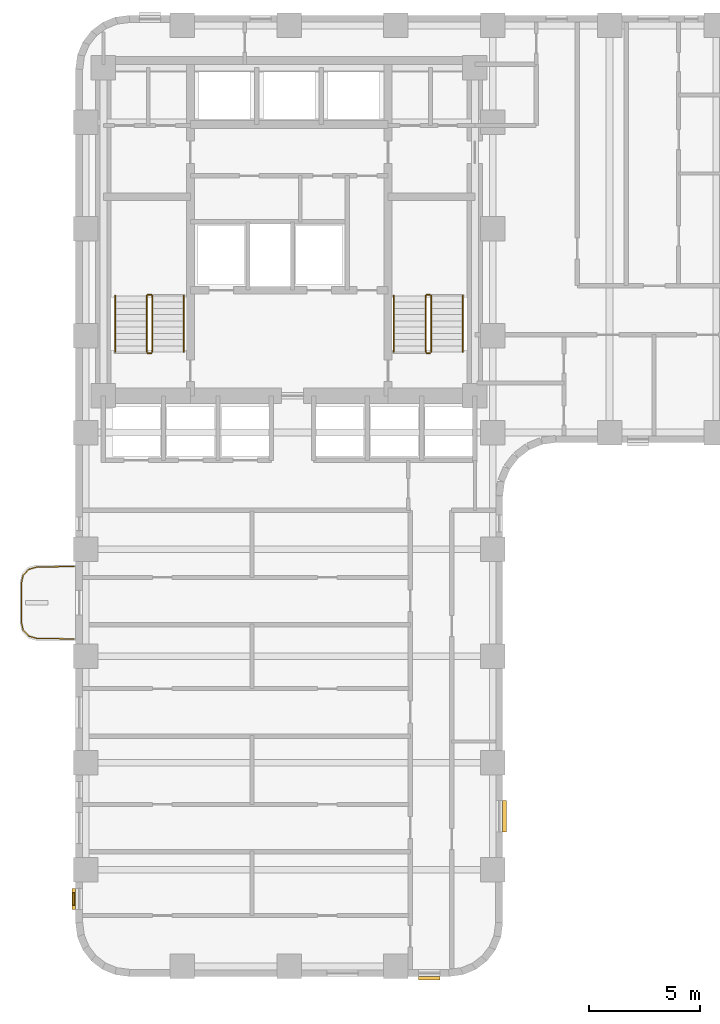
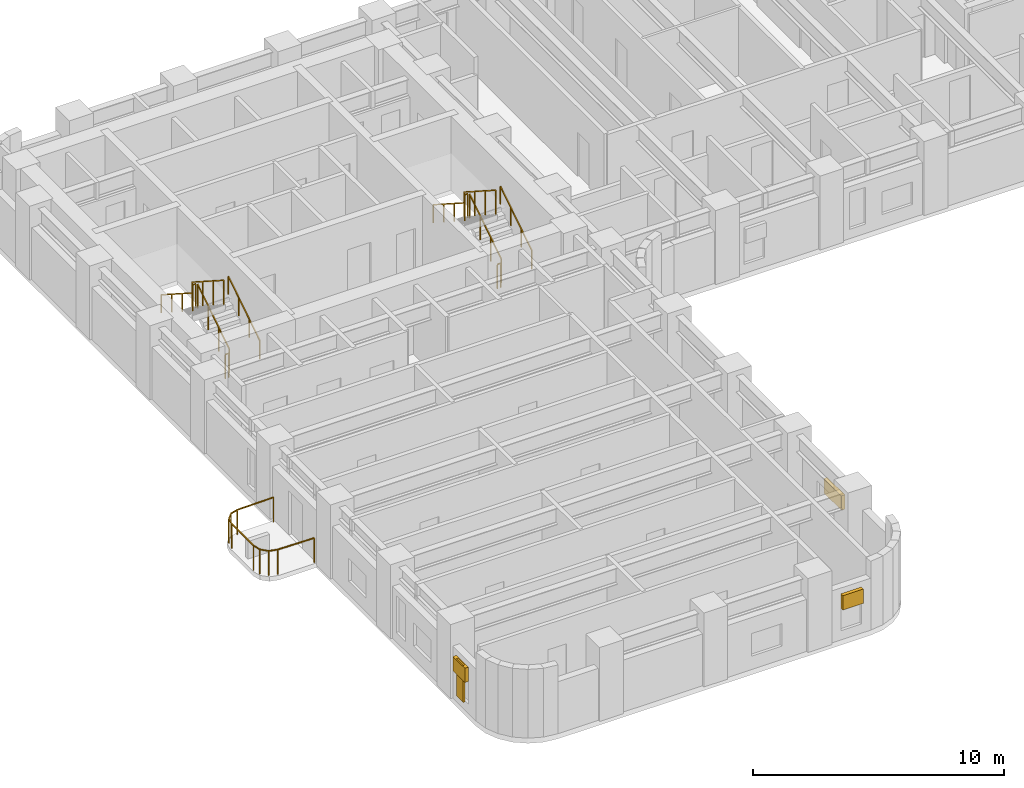
# One storey, part 9 of 11: 13 railings, 4 shading devices.
"""IFC4 building model written with IfcOpenShell, lengths in metres."""

import ifcopenshell
import ifcopenshell.guid

model = None  # the IFC model being written
_history = None  # IfcOwnerHistory: only IFC2X3 demands one
_inside = {}  # id of a spatial element -> (the spatial element, [elements in it])
_under = {}  # id of a project, library or spatial element -> (it, [spatial elements below it])
_declared = {}  # id of a project -> (the project, [libraries it declares])
_typed = {}  # id of a type object -> (the type object, [elements of that type])
_made_of = {}  # id of a material, layer set ... -> (it, [elements and type objects made of it])


def new_model(schema):
    """Start an empty IFC model of exactly this schema.

    Asked for "IFC4X3", IfcOpenShell would pick the latest addendum, in which some entities
    have other attributes; the version numbers below select the first issue.
    IFC2X3 requires an IfcOwnerHistory on every rooted entity: one is made here for all.
    """
    global model, _history
    if schema == "IFC4X3":
        model = ifcopenshell.file(schema_version=(4, 3, 0, 0))
    else:
        model = ifcopenshell.file(schema=schema)
    _inside.clear()
    _under.clear()
    _declared.clear()
    _typed.clear()
    _made_of.clear()
    _history = None
    if model.schema == "IFC2X3":
        org = make("IfcOrganization", Name="unknown")
        user = make(
            "IfcPersonAndOrganization",
            ThePerson=make("IfcPerson", FamilyName="unknown"),
            TheOrganization=org,
        )
        app = make(
            "IfcApplication",
            ApplicationDeveloper=org,
            Version="unknown",
            ApplicationFullName="unknown",
            ApplicationIdentifier="unknown",
        )
        _history = make(
            "IfcOwnerHistory",
            OwningUser=user,
            OwningApplication=app,
            ChangeAction="ADDED",
            CreationDate=0,
        )
    return model


def make(cls, **values):
    """One entity of the class cls with the attributes given. An attribute that is None is left unset."""
    return model.create_entity(
        cls, **{name: value for name, value in values.items() if value is not None}
    )


def rooted(cls, **values):
    """An entity with a GlobalId (a new one), such as an element, a storey or a relation."""
    return make(cls, GlobalId=ifcopenshell.guid.new(), OwnerHistory=_history, **values)


def si_unit(unit_type, name, prefix=None):
    """IfcSIUnit, for example si_unit("LENGTHUNIT", "METRE", prefix="MILLI")."""
    return make("IfcSIUnit", UnitType=unit_type, Prefix=prefix, Name=name)


def assignment(units):
    """IfcUnitAssignment: the units of a project."""
    return None if units is None else make("IfcUnitAssignment", Units=units)


def point(xyz):
    """IfcCartesianPoint."""
    return None if xyz is None else make("IfcCartesianPoint", Coordinates=xyz)


def direction(xyz):
    """IfcDirection."""
    return None if xyz is None else make("IfcDirection", DirectionRatios=xyz)


def frame(location, z_axis=None, x_axis=None):
    """IfcAxis2Placement3D, a coordinate frame: its origin and axes. An axis left out is left unset."""
    return make(
        "IfcAxis2Placement3D",
        Location=point(location),
        Axis=direction(z_axis),
        RefDirection=direction(x_axis),
    )


def frame_2d(location, x_axis=None):
    """IfcAxis2Placement2D, a coordinate frame in the plane: its origin and x axis."""
    return make(
        "IfcAxis2Placement2D", Location=point(location), RefDirection=direction(x_axis)
    )


def origin():
    """The frame at (0, 0, 0) with its axes left unset."""
    return frame((0.0, 0.0, 0.0))


def origin_2d():
    """The frame at (0, 0) in the plane with its x axis left unset."""
    return frame_2d((0.0, 0.0))


def place(relative_to, where):
    """IfcLocalPlacement: puts the frame where relative to a parent placement (None: the world)."""
    return make(
        "IfcLocalPlacement", PlacementRelTo=relative_to, RelativePlacement=where
    )


def context(
    kind, dimensions, precision=None, world=None, true_north=None, identifier=None
):
    """IfcGeometricRepresentationContext, for example the 3D "Model" context."""
    return make(
        "IfcGeometricRepresentationContext",
        ContextIdentifier=identifier,
        ContextType=kind,
        CoordinateSpaceDimension=dimensions,
        Precision=precision,
        WorldCoordinateSystem=world,
        TrueNorth=true_north,
    )


def subcontext(parent, identifier, kind, view, scale=None):
    """IfcGeometricRepresentationSubContext, for example "Body" below "Model"."""
    return make(
        "IfcGeometricRepresentationSubContext",
        ContextIdentifier=identifier,
        ContextType=kind,
        ParentContext=parent,
        TargetScale=scale,
        TargetView=view,
    )


def project(units=None, contexts=None):
    """IfcProject with its units and contexts."""
    return rooted(
        "IfcProject",
        Name="project",
        RepresentationContexts=contexts,
        UnitsInContext=assignment(units),
    )


def spatial(cls, under=None, at=None, **own):
    """A site, building, storey or space (cls), placed at a placement, below another one or the project."""
    s = rooted(cls, ObjectPlacement=at, **own)
    if under is not None:
        _under.setdefault(under.id(), (under, []))[1].append(s)
    return s


def profile(cls, at=None, kind="AREA", **sizes):
    """A parametric profile (cls). Its sizes go by their IFC names, for example OverallWidth=200.0."""
    return make(cls, ProfileType=kind, Position=at, **sizes)


def rectangle(**sizes):
    """IfcRectangleProfileDef."""
    return profile("IfcRectangleProfileDef", **sizes)


def extrude(swept, where, along, depth):
    """IfcExtrudedAreaSolid: the profile swept, set in the frame where, extruded along a direction by depth."""
    return make(
        "IfcExtrudedAreaSolid",
        SweptArea=swept,
        Position=where,
        ExtrudedDirection=direction(along),
        Depth=depth,
    )


def shape(context_of_items, identifier, shape_type, items):
    """IfcShapeRepresentation: the items that make up one representation, for example the "Body"."""
    return make(
        "IfcShapeRepresentation",
        ContextOfItems=context_of_items,
        RepresentationIdentifier=identifier,
        RepresentationType=shape_type,
        Items=items,
    )


def material(Name=None, Category=None):
    """IfcMaterial."""
    return make("IfcMaterial", Name=Name, Category=Category)


def made_of(thing, what):
    """Note that an element or type object is made of a material, layer set ...; save() writes the relation."""
    if what is not None:
        _made_of.setdefault(what.id(), (what, []))[1].append(thing)
    return thing


def type_object(cls, material=None, **own):
    """A type object (cls), such as IfcWallType, which elements share."""
    return made_of(rooted(cls, **own), material)


def element(
    cls,
    number,
    at=None,
    inside=None,
    cuts=None,
    type_object=None,
    material=None,
    context=None,
    identifier="Body",
    shape_type=None,
    held_by="IfcProductDefinitionShape",
    body=None,
    shapes=None,
    **own,
):
    """One element of the class cls, such as IfcWall. Its Tag is "e" and its number.

    at: its placement. inside: the storey or other place that contains it. cuts: it is an
    opening in that element (IfcRelVoidsElement). A single representation is given by context,
    identifier, shape_type and body (its items); several are given by shapes. held_by: the class
    of the entity that holds the representations. save() writes the other relations.
    """
    e = rooted(cls, Tag="e%d" % number, ObjectPlacement=at, **own)
    if body is not None:
        shapes = [shape(context, identifier, shape_type, body)]
    if shapes is not None:
        e.Representation = make(held_by, Representations=shapes)
    if inside is not None:
        _inside.setdefault(inside.id(), (inside, []))[1].append(e)
    if cuts is not None:
        rooted(
            "IfcRelVoidsElement", RelatingBuildingElement=cuts, RelatedOpeningElement=e
        )
    if type_object is not None:
        _typed.setdefault(type_object.id(), (type_object, []))[1].append(e)
    return made_of(e, material)


def aggregate(whole, parts):
    """IfcRelAggregates: a whole, such as a stair, and the parts it consists of."""
    return rooted("IfcRelAggregates", RelatingObject=whole, RelatedObjects=parts)


def save(model, path):
    """Write the relations noted so far, then the file.

    IfcRelAggregates (storeys below a building ...), IfcRelContainedInSpatialStructure (elements
    in a storey), IfcRelDefinesByType, IfcRelAssociatesMaterial and IfcRelDeclares: one each for
    every whole, place, type object, material and project.
    """
    for whole, parts in _under.values():
        aggregate(whole, parts)
    for where, things in _inside.values():
        rooted(
            "IfcRelContainedInSpatialStructure",
            RelatedElements=things,
            RelatingStructure=where,
        )
    for kind, things in _typed.values():
        rooted("IfcRelDefinesByType", RelatedObjects=things, RelatingType=kind)
    for what, things in _made_of.values():
        rooted("IfcRelAssociatesMaterial", RelatedObjects=things, RelatingMaterial=what)
    for by, libraries in _declared.values():
        rooted("IfcRelDeclares", RelatingContext=by, RelatedDefinitions=libraries)
    model.write(path)


model = new_model("IFC4")

# Units and contexts
model_context = context("Model", 3, precision=1e-05, world=origin(), true_north=direction((0.0, 1.0)))
body_context = subcontext(model_context, "Body", "Model", "MODEL_VIEW")
ifc_project = project(units=[si_unit("LENGTHUNIT", "METRE"), si_unit("AREAUNIT", "SQUARE_METRE"), si_unit("VOLUMEUNIT", "CUBIC_METRE"), si_unit("PLANEANGLEUNIT", "RADIAN"), si_unit("MASSUNIT", "GRAM", prefix="KILO")], contexts=[model_context])

# Site, building, storey
site_placement = place(None, origin())
site = spatial("IfcSite", under=ifc_project, at=site_placement, CompositionType="ELEMENT")
building_placement = place(site_placement, origin())
building = spatial("IfcBuilding", under=site, at=building_placement, Name="Orvandelia Arch Residences", CompositionType="ELEMENT")
storey_placement = place(building_placement, frame((0.0, 0.0, 86.199951171875)))
storey = spatial("IfcBuildingStorey", under=building, at=storey_placement, Name="L22", CompositionType="ELEMENT", Elevation=86.199951171875)

# Railings
ifc_material_1 = material(Name="Marine-Grade Stainless Steel 316", Category="steel")
railing_type_1 = type_object("IfcRailingType", Name="GRD-BAL-1200", PredefinedType="BALUSTRADE", material=ifc_material_1)
railing_1_placement = place(storey_placement, frame((4.728271484375, 23.23046875, 0.0)))
element("IfcRailing", 1, at=railing_1_placement, inside=storey, type_object=railing_type_1, Name="Safety Balustrade Guard GRD-L22-BAL-L22-W1-1", PredefinedType="BALUSTRADE", context=body_context, shape_type="SweptSolid", body=[
    extrude(rectangle(XDim=0.048095703125, YDim=0.048095703125, at=origin_2d()), frame((0.0, 0.0, 1.19580078125), z_axis=(-0.999834751713, -0.018178813668, 0.0), x_axis=(0.018178813668, -0.999834751713, 0.0)), (0.0, 0.0, 1.0), 1.6787109375),
    extrude(rectangle(XDim=0.048095703125, YDim=0.048095703125, at=origin_2d()), frame((-1.678466796875, -0.030517578125, 1.19580078125), z_axis=(-0.96348920644, -0.267747173792, 0.0), x_axis=(0.267747173792, -0.96348920644, 0.0)), (0.0, 0.0, 1.0), 0.36572265625),
    extrude(rectangle(XDim=0.048095703125, YDim=0.048095703125, at=origin_2d()), frame((-2.03076171875, -0.12841796875, 1.19580078125), z_axis=(-0.688627404251, -0.725115368831, 0.0), x_axis=(0.725115368831, -0.688627404251, 0.0)), (0.0, 0.0, 1.0), 0.367919921875),
    extrude(rectangle(XDim=0.048095703125, YDim=0.048095703125, at=origin_2d()), frame((-2.2841796875, -0.395263671875, 1.19580078125), z_axis=(-0.220461657419, -0.975395641577, 0.0), x_axis=(0.975395641577, -0.220461657419, 0.0)), (0.0, 0.0, 1.0), 0.373291015625),
    extrude(rectangle(XDim=0.048095703125, YDim=0.048095703125, at=origin_2d()), frame((-2.366455078125, -0.75927734375, 1.19580078125), z_axis=(0.0, -1.0, 0.0), x_axis=(1.0, 0.0, 0.0)), (0.0, 0.0, 1.0), 1.742431640625),
    extrude(rectangle(XDim=0.048095703125, YDim=0.048095703125, at=origin_2d()), frame((-2.366455078125, -2.501708984375, 1.19580078125), z_axis=(0.220602419982, -0.975363815352, 0.0), x_axis=(0.975363815352, 0.220602419982, 0.0)), (0.0, 0.0, 1.0), 0.373046875),
    extrude(rectangle(XDim=0.048095703125, YDim=0.048095703125, at=origin_2d()), frame((-2.2841796875, -2.865478515625, 1.19580078125), z_axis=(0.688296224633, -0.725429739642, 0.0), x_axis=(0.725429739642, 0.688296224633, 0.0)), (0.0, 0.0, 1.0), 0.3681640625),
    extrude(rectangle(XDim=0.048095703125, YDim=0.048095703125, at=origin_2d()), frame((-2.03076171875, -3.132568359375, 1.19580078125), z_axis=(0.96348920644, -0.267747173792, 0.0), x_axis=(0.267747173792, 0.96348920644, 0.0)), (0.0, 0.0, 1.0), 0.36572265625),
    extrude(rectangle(XDim=0.048095703125, YDim=0.048095703125, at=origin_2d()), frame((-1.678466796875, -3.23046875, 1.19580078125), z_axis=(0.999834751713, -0.018178813668, 0.0), x_axis=(0.018178813668, 0.999834751713, 0.0)), (0.0, 0.0, 1.0), 1.6787109375),
    extrude(rectangle(XDim=0.0419921875, YDim=0.0419921875, at=origin_2d()), origin(), (0.0, 0.0, 1.0), 1.171875),
    extrude(rectangle(XDim=0.0419921875, YDim=0.0419921875, at=origin_2d()), frame((-1.678466796875, -0.030517578125, 0.0)), (0.0, 0.0, 1.0), 1.171875),
    extrude(rectangle(XDim=0.0419921875, YDim=0.0419921875, at=origin_2d()), frame((-2.03076171875, -0.12841796875, 0.0)), (0.0, 0.0, 1.0), 1.171875),
    extrude(rectangle(XDim=0.0419921875, YDim=0.0419921875, at=origin_2d()), frame((-2.2841796875, -0.395263671875, 0.0)), (0.0, 0.0, 1.0), 1.171875),
    extrude(rectangle(XDim=0.0419921875, YDim=0.0419921875, at=origin_2d()), frame((-2.366455078125, -0.75927734375, 0.0)), (0.0, 0.0, 1.0), 1.171875),
    extrude(rectangle(XDim=0.0419921875, YDim=0.0419921875, at=origin_2d()), frame((-2.366455078125, -2.501708984375, 0.0)), (0.0, 0.0, 1.0), 1.171875),
    extrude(rectangle(XDim=0.0419921875, YDim=0.0419921875, at=origin_2d()), frame((-2.2841796875, -2.865478515625, 0.0)), (0.0, 0.0, 1.0), 1.171875),
    extrude(rectangle(XDim=0.0419921875, YDim=0.0419921875, at=origin_2d()), frame((-2.03076171875, -3.132568359375, 0.0)), (0.0, 0.0, 1.0), 1.171875),
    extrude(rectangle(XDim=0.0419921875, YDim=0.0419921875, at=origin_2d()), frame((-1.678466796875, -3.23046875, 0.0)), (0.0, 0.0, 1.0), 1.171875),
    extrude(rectangle(XDim=0.0419921875, YDim=0.0419921875, at=origin_2d()), frame((0.0, -3.260986328125, 0.0)), (0.0, 0.0, 1.0), 1.171875),
])
ifc_material_2 = material(Name="Brushed Stainless Steel 304", Category="steel")
railing_type_2 = type_object("IfcRailingType", Name="RL-STAIR-GD1120", PredefinedType="GUARDRAIL", material=ifc_material_2)
railing_2_placement = place(storey_placement, frame((8.25, 32.8701171875, 0.179931640625)))
element("IfcRailing", 2, at=railing_2_placement, inside=storey, type_object=railing_type_2, Name="L22 ST-1 stair guard 1", PredefinedType="GUARDRAIL", context=body_context, shape_type="SweptSolid", body=[
    extrude(rectangle(XDim=0.048095703125, YDim=0.048095703125, at=origin_2d()), frame((0.0, 0.0, 1.17578125), z_axis=(0.0, 0.841138753965, 0.540819375188), x_axis=(-1.0, 0.0, 0.0)), (0.0, 0.0, 1.0), 2.99560546875),
    extrude(rectangle(XDim=0.0419921875, YDim=0.0419921875, at=origin_2d()), origin(), (0.0, 0.0, 1.0), 1.15185546875),
    extrude(rectangle(XDim=0.0419921875, YDim=0.0419921875, at=origin_2d()), frame((0.0, 0.83984375, 0.5400390625)), (0.0, 0.0, 1.0), 1.15185546875),
    extrude(rectangle(XDim=0.0419921875, YDim=0.0419921875, at=origin_2d()), frame((0.0, 1.679931640625, 1.080078125)), (0.0, 0.0, 1.0), 1.15185546875),
    extrude(rectangle(XDim=0.0419921875, YDim=0.0419921875, at=origin_2d()), frame((0.0, 2.519775390625, 1.6201171875)), (0.0, 0.0, 1.0), 1.15185546875),
])
railing_3_placement = place(storey_placement, frame((8.199951171875, 35.43994140625, 1.800048828125)))
element("IfcRailing", 3, at=railing_3_placement, inside=storey, type_object=railing_type_2, Name="L22 ST-1 stair guard 2", PredefinedType="GUARDRAIL", context=body_context, shape_type="SweptSolid", body=[
    extrude(rectangle(XDim=0.048095703125, YDim=0.048095703125, at=origin_2d()), frame((0.0, 0.0, 1.17578125), z_axis=(-1.0, 0.0, 0.0), x_axis=(0.0, -1.0, 0.0)), (0.0, 0.0, 1.0), 0.14990234375),
    extrude(rectangle(XDim=0.0419921875, YDim=0.0419921875, at=origin_2d()), origin(), (0.0, 0.0, 1.0), 1.15185546875),
    extrude(rectangle(XDim=0.0419921875, YDim=0.0419921875, at=origin_2d()), frame((-0.14990234375, 0.0, 0.0)), (0.0, 0.0, 1.0), 1.15185546875),
])
railing_4_placement = place(storey_placement, frame((8.0, 35.389892578125, 1.97998046875)))
element("IfcRailing", 4, at=railing_4_placement, inside=storey, type_object=railing_type_2, Name="L22 ST-1 stair guard 3", PredefinedType="GUARDRAIL", context=body_context, shape_type="SweptSolid", body=[
    extrude(rectangle(XDim=0.048095703125, YDim=0.048095703125, at=origin_2d()), frame((0.0, 0.0, 1.17578125), z_axis=(0.0, -0.841138753965, 0.540819375188), x_axis=(1.0, 0.0, 0.0)), (0.0, 0.0, 1.0), 2.99560546875),
    extrude(rectangle(XDim=0.0419921875, YDim=0.0419921875, at=origin_2d()), origin(), (0.0, 0.0, 1.0), 1.15185546875),
    extrude(rectangle(XDim=0.0419921875, YDim=0.0419921875, at=origin_2d()), frame((0.0, -0.83984375, 0.5400390625)), (0.0, 0.0, 1.0), 1.15185546875),
    extrude(rectangle(XDim=0.0419921875, YDim=0.0419921875, at=origin_2d()), frame((0.0, -1.679931640625, 1.080078125)), (0.0, 0.0, 1.0), 1.15185546875),
    extrude(rectangle(XDim=0.0419921875, YDim=0.0419921875, at=origin_2d()), frame((0.0, -2.519775390625, 1.6201171875)), (0.0, 0.0, 1.0), 1.15185546875),
])
railing_5_placement = place(storey_placement, frame((8.199951171875, 32.820068359375, 0.0)))
element("IfcRailing", 5, at=railing_5_placement, inside=storey, type_object=railing_type_2, Name="L22 ST-1 stair guard 4", PredefinedType="GUARDRAIL", context=body_context, shape_type="SweptSolid", body=[
    extrude(rectangle(XDim=0.048095703125, YDim=0.048095703125, at=origin_2d()), frame((0.0, 0.0, 1.17578125), z_axis=(-1.0, 0.0, 0.0), x_axis=(0.0, -1.0, 0.0)), (0.0, 0.0, 1.0), 0.14990234375),
    extrude(rectangle(XDim=0.0419921875, YDim=0.0419921875, at=origin_2d()), origin(), (0.0, 0.0, 1.0), 1.15185546875),
    extrude(rectangle(XDim=0.0419921875, YDim=0.0419921875, at=origin_2d()), frame((-0.14990234375, 0.0, 0.0)), (0.0, 0.0, 1.0), 1.15185546875),
])
railing_6_placement = place(storey_placement, frame((20.780029296875, 32.8701171875, 0.179931640625)))
element("IfcRailing", 6, at=railing_6_placement, inside=storey, type_object=railing_type_2, Name="L22 ST-2 stair guard 1", PredefinedType="GUARDRAIL", context=body_context, shape_type="SweptSolid", body=[
    extrude(rectangle(XDim=0.048095703125, YDim=0.048095703125, at=origin_2d()), frame((0.0, 0.0, 1.17578125), z_axis=(0.0, 0.841138753965, 0.540819375188), x_axis=(-1.0, 0.0, 0.0)), (0.0, 0.0, 1.0), 2.99560546875),
    extrude(rectangle(XDim=0.0419921875, YDim=0.0419921875, at=origin_2d()), origin(), (0.0, 0.0, 1.0), 1.15185546875),
    extrude(rectangle(XDim=0.0419921875, YDim=0.0419921875, at=origin_2d()), frame((0.0, 0.83984375, 0.5400390625)), (0.0, 0.0, 1.0), 1.15185546875),
    extrude(rectangle(XDim=0.0419921875, YDim=0.0419921875, at=origin_2d()), frame((0.0, 1.679931640625, 1.080078125)), (0.0, 0.0, 1.0), 1.15185546875),
    extrude(rectangle(XDim=0.0419921875, YDim=0.0419921875, at=origin_2d()), frame((0.0, 2.519775390625, 1.6201171875)), (0.0, 0.0, 1.0), 1.15185546875),
])
railing_7_placement = place(storey_placement, frame((20.72998046875, 35.43994140625, 1.800048828125)))
element("IfcRailing", 7, at=railing_7_placement, inside=storey, type_object=railing_type_2, Name="L22 ST-2 stair guard 2", PredefinedType="GUARDRAIL", context=body_context, shape_type="SweptSolid", body=[
    extrude(rectangle(XDim=0.048095703125, YDim=0.048095703125, at=origin_2d()), frame((0.0, 0.0, 1.17578125), z_axis=(-1.0, 0.0, 0.0), x_axis=(0.0, -1.0, 0.0)), (0.0, 0.0, 1.0), 0.14990234375),
    extrude(rectangle(XDim=0.0419921875, YDim=0.0419921875, at=origin_2d()), origin(), (0.0, 0.0, 1.0), 1.15185546875),
    extrude(rectangle(XDim=0.0419921875, YDim=0.0419921875, at=origin_2d()), frame((-0.14990234375, 0.0, 0.0)), (0.0, 0.0, 1.0), 1.15185546875),
])
railing_8_placement = place(storey_placement, frame((20.530029296875, 35.389892578125, 1.97998046875)))
element("IfcRailing", 8, at=railing_8_placement, inside=storey, type_object=railing_type_2, Name="L22 ST-2 stair guard 3", PredefinedType="GUARDRAIL", context=body_context, shape_type="SweptSolid", body=[
    extrude(rectangle(XDim=0.048095703125, YDim=0.048095703125, at=origin_2d()), frame((0.0, 0.0, 1.17578125), z_axis=(0.0, -0.841138753965, 0.540819375188), x_axis=(1.0, 0.0, 0.0)), (0.0, 0.0, 1.0), 2.99560546875),
    extrude(rectangle(XDim=0.0419921875, YDim=0.0419921875, at=origin_2d()), origin(), (0.0, 0.0, 1.0), 1.15185546875),
    extrude(rectangle(XDim=0.0419921875, YDim=0.0419921875, at=origin_2d()), frame((0.0, -0.83984375, 0.5400390625)), (0.0, 0.0, 1.0), 1.15185546875),
    extrude(rectangle(XDim=0.0419921875, YDim=0.0419921875, at=origin_2d()), frame((0.0, -1.679931640625, 1.080078125)), (0.0, 0.0, 1.0), 1.15185546875),
    extrude(rectangle(XDim=0.0419921875, YDim=0.0419921875, at=origin_2d()), frame((0.0, -2.519775390625, 1.6201171875)), (0.0, 0.0, 1.0), 1.15185546875),
])
railing_9_placement = place(storey_placement, frame((20.72998046875, 32.820068359375, 0.0)))
element("IfcRailing", 9, at=railing_9_placement, inside=storey, type_object=railing_type_2, Name="L22 ST-2 stair guard 4", PredefinedType="GUARDRAIL", context=body_context, shape_type="SweptSolid", body=[
    extrude(rectangle(XDim=0.048095703125, YDim=0.048095703125, at=origin_2d()), frame((0.0, 0.0, 1.17578125), z_axis=(-1.0, 0.0, 0.0), x_axis=(0.0, -1.0, 0.0)), (0.0, 0.0, 1.0), 0.14990234375),
    extrude(rectangle(XDim=0.0419921875, YDim=0.0419921875, at=origin_2d()), origin(), (0.0, 0.0, 1.0), 1.15185546875),
    extrude(rectangle(XDim=0.0419921875, YDim=0.0419921875, at=origin_2d()), frame((-0.14990234375, 0.0, 0.0)), (0.0, 0.0, 1.0), 1.15185546875),
])
railing_type_3 = type_object("IfcRailingType", Name="RL-STAIR-HR920", PredefinedType="HANDRAIL", material=ifc_material_2)
railing_10_placement = place(storey_placement, frame((9.669921875, 32.8701171875, 0.360107421875)))
element("IfcRailing", 10, at=railing_10_placement, inside=storey, type_object=railing_type_3, Name="L22 ST-1 stair handrail 1", PredefinedType="HANDRAIL", context=body_context, shape_type="SweptSolid", body=[
    extrude(rectangle(XDim=0.048095703125, YDim=0.048095703125, at=origin_2d()), frame((0.0, 0.0, 0.8759765625), z_axis=(0.0, 0.841175827307, 0.540761710511), x_axis=(-1.0, 0.0, 0.0)), (0.0, 0.0, 1.0), 2.99560546875),
    extrude(rectangle(XDim=0.0419921875, YDim=0.0419921875, at=origin_2d()), origin(), (0.0, 0.0, 1.0), 0.851806640625),
    extrude(rectangle(XDim=0.0419921875, YDim=0.0419921875, at=origin_2d()), frame((0.0, 0.83984375, 0.5400390625)), (0.0, 0.0, 1.0), 0.851806640625),
    extrude(rectangle(XDim=0.0419921875, YDim=0.0419921875, at=origin_2d()), frame((0.0, 1.679931640625, 1.079833984375)), (0.0, 0.0, 1.0), 0.851806640625),
    extrude(rectangle(XDim=0.0419921875, YDim=0.0419921875, at=origin_2d()), frame((0.0, 2.519775390625, 1.619873046875)), (0.0, 0.0, 1.0), 0.851806640625),
])
railing_11_placement = place(storey_placement, frame((6.580078125, 35.389892578125, 2.16015625)))
element("IfcRailing", 11, at=railing_11_placement, inside=storey, type_object=railing_type_3, Name="L22 ST-1 stair handrail 2", PredefinedType="HANDRAIL", context=body_context, shape_type="SweptSolid", body=[
    extrude(rectangle(XDim=0.048095703125, YDim=0.048095703125, at=origin_2d()), frame((0.0, 0.0, 0.8759765625), z_axis=(0.0, -0.841175827307, 0.540761710511), x_axis=(1.0, 0.0, 0.0)), (0.0, 0.0, 1.0), 2.99560546875),
    extrude(rectangle(XDim=0.0419921875, YDim=0.0419921875, at=origin_2d()), origin(), (0.0, 0.0, 1.0), 0.851806640625),
    extrude(rectangle(XDim=0.0419921875, YDim=0.0419921875, at=origin_2d()), frame((0.0, -0.83984375, 0.5400390625)), (0.0, 0.0, 1.0), 0.851806640625),
    extrude(rectangle(XDim=0.0419921875, YDim=0.0419921875, at=origin_2d()), frame((0.0, -1.679931640625, 1.079833984375)), (0.0, 0.0, 1.0), 0.851806640625),
    extrude(rectangle(XDim=0.0419921875, YDim=0.0419921875, at=origin_2d()), frame((0.0, -2.519775390625, 1.619873046875)), (0.0, 0.0, 1.0), 0.851806640625),
])
railing_12_placement = place(storey_placement, frame((22.199951171875, 32.8701171875, 0.360107421875)))
element("IfcRailing", 12, at=railing_12_placement, inside=storey, type_object=railing_type_3, Name="L22 ST-2 stair handrail 1", PredefinedType="HANDRAIL", context=body_context, shape_type="SweptSolid", body=[
    extrude(rectangle(XDim=0.048095703125, YDim=0.048095703125, at=origin_2d()), frame((0.0, 0.0, 0.8759765625), z_axis=(0.0, 0.841175827307, 0.540761710511), x_axis=(-1.0, 0.0, 0.0)), (0.0, 0.0, 1.0), 2.99560546875),
    extrude(rectangle(XDim=0.0419921875, YDim=0.0419921875, at=origin_2d()), origin(), (0.0, 0.0, 1.0), 0.851806640625),
    extrude(rectangle(XDim=0.0419921875, YDim=0.0419921875, at=origin_2d()), frame((0.0, 0.83984375, 0.5400390625)), (0.0, 0.0, 1.0), 0.851806640625),
    extrude(rectangle(XDim=0.0419921875, YDim=0.0419921875, at=origin_2d()), frame((0.0, 1.679931640625, 1.079833984375)), (0.0, 0.0, 1.0), 0.851806640625),
    extrude(rectangle(XDim=0.0419921875, YDim=0.0419921875, at=origin_2d()), frame((0.0, 2.519775390625, 1.619873046875)), (0.0, 0.0, 1.0), 0.851806640625),
])
railing_13_placement = place(storey_placement, frame((19.110107421875, 35.389892578125, 2.16015625)))
element("IfcRailing", 13, at=railing_13_placement, inside=storey, type_object=railing_type_3, Name="L22 ST-2 stair handrail 2", PredefinedType="HANDRAIL", context=body_context, shape_type="SweptSolid", body=[
    extrude(rectangle(XDim=0.048095703125, YDim=0.048095703125, at=origin_2d()), frame((0.0, 0.0, 0.8759765625), z_axis=(0.0, -0.841175827307, 0.540761710511), x_axis=(1.0, 0.0, 0.0)), (0.0, 0.0, 1.0), 2.99560546875),
    extrude(rectangle(XDim=0.0419921875, YDim=0.0419921875, at=origin_2d()), origin(), (0.0, 0.0, 1.0), 0.851806640625),
    extrude(rectangle(XDim=0.0419921875, YDim=0.0419921875, at=origin_2d()), frame((0.0, -0.83984375, 0.5400390625)), (0.0, 0.0, 1.0), 0.851806640625),
    extrude(rectangle(XDim=0.0419921875, YDim=0.0419921875, at=origin_2d()), frame((0.0, -1.679931640625, 1.079833984375)), (0.0, 0.0, 1.0), 0.851806640625),
    extrude(rectangle(XDim=0.0419921875, YDim=0.0419921875, at=origin_2d()), frame((0.0, -2.519775390625, 1.619873046875)), (0.0, 0.0, 1.0), 0.851806640625),
])

# Shading devices
ifc_material_3 = material(Name="Anodised Champagne-Bronze Extruded Aluminium", Category="aluminium")
shading_device_type_1 = type_object("IfcShadingDeviceType", Name="SHD-JALOUSIE-SCREEN", PredefinedType="JALOUSIE", material=ifc_material_3)
shading_device_1_placement = place(storey_placement, frame((24.080078125, 12.0, 1.05029296875), z_axis=(0.0, 0.0, 1.0), x_axis=(0.0, -1.0, 0.0)))
element("IfcShadingDevice", 14, at=shading_device_1_placement, inside=storey, type_object=shading_device_type_1, Name="Bronze Jalousie Sun-Shade L22-007", PredefinedType="JALOUSIE", context=body_context, shape_type="SweptSolid", body=[
    extrude(rectangle(XDim=1.39990234375, YDim=0.159912109375, at=origin_2d()), origin(), (0.0, 0.0, 1.0), 0.699951171875),
])
for number, where, z_axis, x_axis, name in (
    (15, (20.695068359375, 4.719970703125, 1.55029296875), (0.0, 0.0, 1.0), (-1.0, 0.0, 0.0), "Bronze Jalousie Sun-Shade L22-008"),
    (16, (4.719970703125, 8.285888671875, 1.55029296875), (0.0, 0.0, 1.0), (0.0, 1.0, 0.0), "Bronze Jalousie Sun-Shade L22-009"),
):
    element("IfcShadingDevice", number, at=place(storey_placement, frame(where, z_axis=z_axis, x_axis=x_axis)), inside=storey, type_object=shading_device_type_1, Name=name, PredefinedType="JALOUSIE", context=body_context, shape_type="SweptSolid", body=[
        extrude(rectangle(XDim=0.949951171875, YDim=0.159912109375, at=origin_2d()), origin(), (0.0, 0.0, 1.0), 0.699951171875),
    ])
ifc_material_4 = material(Name="Marine-Grade Perforated Aluminium Storm Shutter", Category="aluminium")
shading_device_type_2 = type_object("IfcShadingDeviceType", Name="SHD-STORM-SHUTTER", PredefinedType="SHUTTER", material=ifc_material_4)
shading_device_2_placement = place(storey_placement, frame((4.719970703125, 8.285888671875, 0.4501953125), z_axis=(0.0, 0.0, 1.0), x_axis=(0.0, 1.0, 0.0)))
element("IfcShadingDevice", 17, at=shading_device_2_placement, inside=storey, type_object=shading_device_type_2, Name="Operable Typhoon Storm Shutter L22-009", PredefinedType="SHUTTER", context=body_context, shape_type="SweptSolid", body=[
    extrude(rectangle(XDim=0.550048828125, YDim=0.080078125, at=origin_2d()), origin(), (0.0, 0.0, 1.0), 1.800048828125),
])

save(model, "model.ifc")
